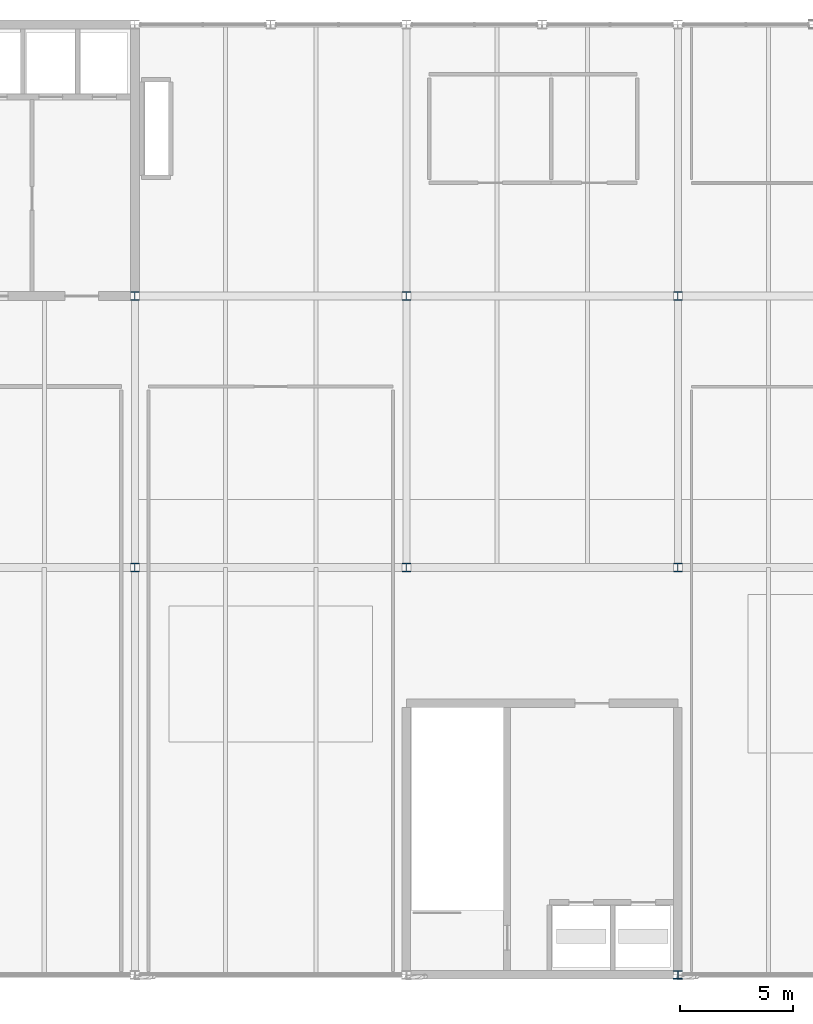
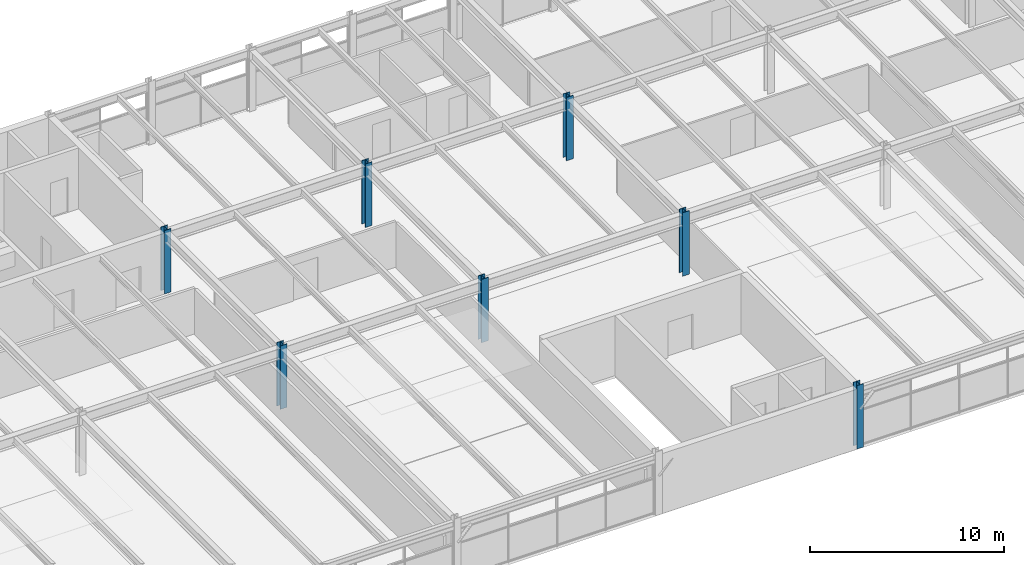
# One storey, part 2 of 52: 7 columns.
"""IFC4 building model written with IfcOpenShell, lengths in metres."""

from ifc_helpers import new_model, si_unit, direction, frame, origin, origin_2d, place, context, subcontext, project, spatial, i_section, extrude, material, material_profile, profile_set, type_object, element, save


model = new_model("IFC4")

# Units and contexts
model_context = context("Model", 3, precision=1e-05, world=origin(), true_north=direction((0.0, 1.0)))
body_context = subcontext(model_context, "Body", "Model", "MODEL_VIEW")
ifc_project = project(units=[si_unit("LENGTHUNIT", "METRE"), si_unit("AREAUNIT", "SQUARE_METRE"), si_unit("VOLUMEUNIT", "CUBIC_METRE"), si_unit("PLANEANGLEUNIT", "RADIAN"), si_unit("MASSUNIT", "GRAM", prefix="KILO")], contexts=[model_context])

# Site, building, storey
site_placement = place(None, origin())
site = spatial("IfcSite", under=ifc_project, at=site_placement, CompositionType="ELEMENT")
building_placement = place(site_placement, origin())
building = spatial("IfcBuilding", under=site, at=building_placement, Name="Girod Span Mobility Hub", CompositionType="ELEMENT")
storey_placement = place(building_placement, frame((0.0, 0.0, 45.60009765625)))
storey = spatial("IfcBuildingStorey", under=building, at=storey_placement, Name="L11", CompositionType="ELEMENT", Elevation=45.60009765625)

# Columns
ifc_material_1 = material(Name="Steel A992 Grade 50", Category="steel")
ifc_material_profile_1 = material_profile(ifc_material_1, i_section(OverallWidth=0.39404296875, OverallDepth=0.375, WebThickness=0.017333984375, FlangeThickness=0.027587890625, FilletRadius=0.01806640625, at=origin_2d()), Name="W14X145")
ifc_profile_set_1 = profile_set([ifc_material_profile_1], Name="Steel A992 Grade 50")
column_type_1 = type_object("IfcColumnType", Name="COL-STL-W14X145", PredefinedType="COLUMN", material=ifc_profile_set_1)
column_placement = place(storey_placement, frame((84.0, 27.0, 0.0), z_axis=(0.0, 0.0, 1.0), x_axis=(1.0, 0.0, 0.0)))
element("IfcColumn", 1, at=column_placement, inside=storey, type_object=column_type_1, Name="Column 8C L11", PredefinedType="COLUMN", context=body_context, shape_type="SweptSolid", body=[
    extrude(i_section(OverallWidth=0.39404296875, OverallDepth=0.375, WebThickness=0.017333984375, FlangeThickness=0.027587890625, FilletRadius=0.01806640625, at=origin_2d()), origin(), (0.0, 0.0, 1.0), 4.0),
])
ifc_material_2 = material(Name="Steel A992 Grade 50", Category="steel")
ifc_material_profile_2 = material_profile(ifc_material_2, i_section(OverallWidth=0.39892578125, OverallDepth=0.39306640625, WebThickness=0.022705078125, FlangeThickness=0.03662109375, FilletRadius=0.01806640625, at=origin_2d()), Name="W14X193")
ifc_profile_set_2 = profile_set([ifc_material_profile_2], Name="Steel A992 Grade 50")
column_type_2 = type_object("IfcColumnType", Name="COL-STL-W14X193", PredefinedType="COLUMN", material=ifc_profile_set_2)
for number, where, z_axis, x_axis, name in (
    (2, (60.0, 45.0, 0.0), (0.0, 0.0, 1.0), (1.0, 0.0, 0.0), "Column 6D L11"),
    (3, (60.0, 57.0, 0.0), (0.0, 0.0, 1.0), (1.0, 0.0, 0.0), "Column 6E L11"),
    (4, (72.0, 45.0, 0.0), (0.0, 0.0, 1.0), (1.0, 0.0, 0.0), "Column 7D L11"),
    (5, (72.0, 57.0, 0.0), (0.0, 0.0, 1.0), (1.0, 0.0, 0.0), "Column 7E L11"),
    (6, (84.0, 45.0, 0.0), (0.0, 0.0, 1.0), (1.0, 0.0, 0.0), "Column 8D L11"),
    (7, (84.0, 57.0, 0.0), (0.0, 0.0, 1.0), (1.0, 0.0, 0.0), "Column 8E L11"),
):
    element("IfcColumn", number, at=place(storey_placement, frame(where, z_axis=z_axis, x_axis=x_axis)), inside=storey, type_object=column_type_2, Name=name, PredefinedType="COLUMN", context=body_context, shape_type="SweptSolid", body=[
        extrude(i_section(OverallWidth=0.39892578125, OverallDepth=0.39306640625, WebThickness=0.022705078125, FlangeThickness=0.03662109375, FilletRadius=0.01806640625, at=origin_2d()), origin(), (0.0, 0.0, 1.0), 4.0),
    ])

save(model, "model.ifc")
